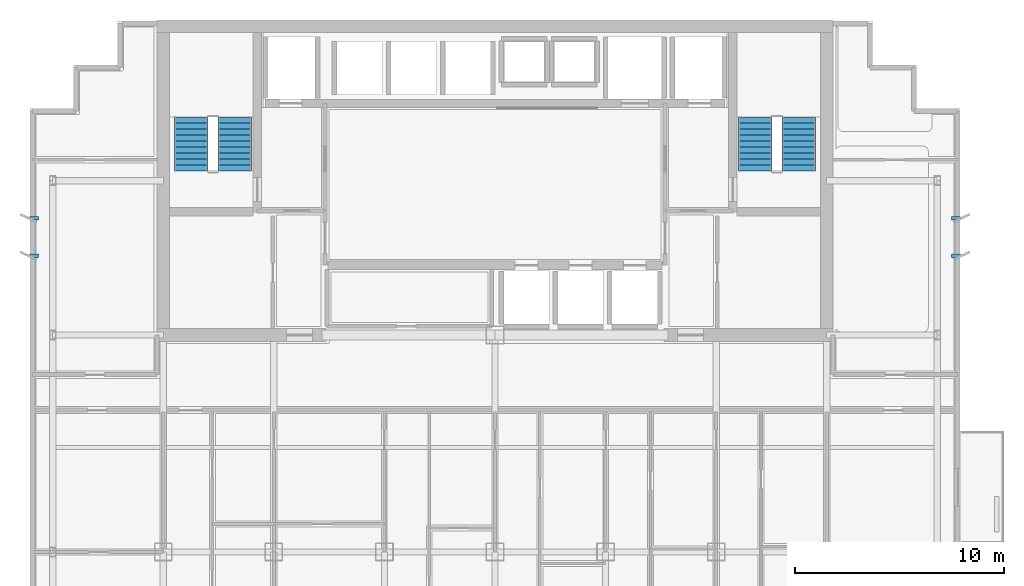
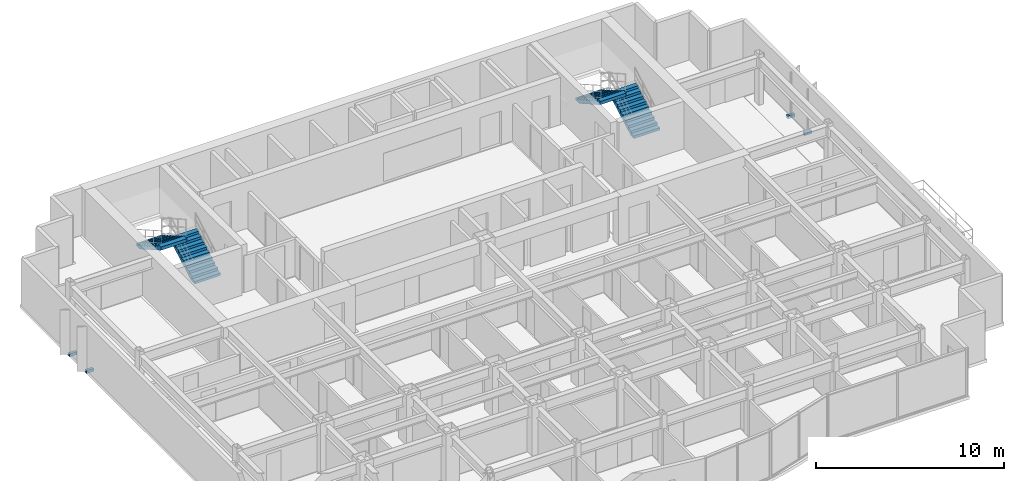
# One storey, part 9 of 11: 4 discrete accessories, 4 stair flights, 2 elements without a shape of their own.
"""IFC4 building model written with IfcOpenShell, lengths in metres."""

from ifc_helpers import new_model, si_unit, direction, frame, origin, origin_2d, place, context, subcontext, project, spatial, polyline, rectangle, outline, extrude, source, transform, mapped, material, type_object, element, aggregate, save


model = new_model("IFC4")

# Units and contexts
model_context = context("Model", 3, precision=1e-05, world=origin(), true_north=direction((0.0, 1.0)))
body_context = subcontext(model_context, "Body", "Model", "MODEL_VIEW")
ifc_project = project(units=[si_unit("LENGTHUNIT", "METRE"), si_unit("AREAUNIT", "SQUARE_METRE"), si_unit("VOLUMEUNIT", "CUBIC_METRE"), si_unit("PLANEANGLEUNIT", "RADIAN"), si_unit("MASSUNIT", "GRAM", prefix="KILO")], contexts=[model_context])

# Site, building, storey
site_placement = place(None, origin())
site = spatial("IfcSite", under=ifc_project, at=site_placement, CompositionType="ELEMENT")
building_placement = place(site_placement, origin())
building = spatial("IfcBuilding", under=site, at=building_placement, Name="Qianlan Lanfeng Residences", CompositionType="ELEMENT")
storey_placement = place(building_placement, frame((0.0, 0.0, 168.89990234375)))
storey = spatial("IfcBuildingStorey", under=building, at=storey_placement, Name="L46", CompositionType="ELEMENT", Elevation=168.89990234375)

# Stair, stair flights
ifc_material_1 = material(Name="Concrete C42", Category="concrete")
stair_type = type_object("IfcStairType", Name="STR-MAIN", PredefinedType="HALF_TURN_STAIR", material=ifc_material_1)
stair_1_placement = place(storey_placement, origin())
stair_1 = element("IfcStair", 1, at=stair_1_placement, inside=storey, type_object=stair_type, Name="L46 Exit Stair ST-1", PredefinedType="HALF_TURN_STAIR")
stair_flight_type = type_object("IfcStairFlightType", Name="FLT-1720", PredefinedType="STRAIGHT", material=ifc_material_1)
stair_flight_1_placement = place(storey_placement, frame((14.02001953125, 33.050048828125, 0.0), z_axis=(0.0, 0.0, 1.0), x_axis=(0.0, 1.0, 0.0)))
stair_flight_1 = element("IfcStairFlight", 2, at=stair_flight_1_placement, type_object=stair_flight_type, Name="ST-1 flight 1", NumberOfRisers=10, NumberOfTreads=9, PredefinedType="STRAIGHT", RiserHeight=0.165, TreadLength=0.29, context=body_context, shape_type="SweptSolid", body=[
    extrude(outline(polyline([(0.0, 0.0), (0.0, 0.1650390625), (0.2900390625, 0.1650390625), (0.2900390625, 0.330078125), (0.580078125, 0.330078125), (0.580078125, 0.4951171875), (0.8701171875, 0.4951171875), (0.8701171875, 0.659912109375), (1.159912109375, 0.659912109375), (1.159912109375, 0.824951171875), (1.449951171875, 0.824951171875), (1.449951171875, 0.989990234375), (1.739990234375, 0.989990234375), (1.739990234375, 1.155029296875), (2.030029296875, 1.155029296875), (2.030029296875, 1.320068359375), (2.320068359375, 1.320068359375), (2.320068359375, 1.485107421875), (2.610107421875, 1.485107421875), (2.610107421875, 1.64990234375), (2.610107421875, 1.278076171875), (0.36376953125, 0.0), (0.0, 0.0)])), frame((0.0, 0.800048828125, 0.0), z_axis=(0.0, -1.0, 0.0), x_axis=(1.0, 0.0, 0.0)), (0.0, 0.0, 1.0), 1.60009765625),
])
stair_flight_2_placement = place(storey_placement, frame((11.93994140625, 35.659912109375, 1.650146484375), z_axis=(0.0, 0.0, 1.0), x_axis=(0.0, -1.0, 0.0)))
stair_flight_2 = element("IfcStairFlight", 3, at=stair_flight_2_placement, type_object=stair_flight_type, Name="ST-1 flight 2", NumberOfRisers=10, NumberOfTreads=9, PredefinedType="STRAIGHT", RiserHeight=0.165, TreadLength=0.29, context=body_context, shape_type="SweptSolid", body=[
    extrude(outline(polyline([(0.0, 0.0), (0.0, 0.1650390625), (0.2900390625, 0.1650390625), (0.2900390625, 0.330078125), (0.580078125, 0.330078125), (0.580078125, 0.4951171875), (0.8701171875, 0.4951171875), (0.8701171875, 0.659912109375), (1.159912109375, 0.659912109375), (1.159912109375, 0.824951171875), (1.449951171875, 0.824951171875), (1.449951171875, 0.989990234375), (1.739990234375, 0.989990234375), (1.739990234375, 1.155029296875), (2.030029296875, 1.155029296875), (2.030029296875, 1.320068359375), (2.320068359375, 1.320068359375), (2.320068359375, 1.485107421875), (2.610107421875, 1.485107421875), (2.610107421875, 1.64990234375), (2.610107421875, 1.278076171875), (0.36376953125, 0.0), (0.0, 0.0)])), frame((0.0, 0.800048828125, 0.0), z_axis=(0.0, -1.0, 0.0), x_axis=(1.0, 0.0, 0.0)), (0.0, 0.0, 1.0), 1.60009765625),
])
aggregate(stair_1, [stair_flight_1, stair_flight_2])

stair_2_placement = place(storey_placement, origin())
stair_2 = element("IfcStair", 4, at=stair_2_placement, inside=storey, type_object=stair_type, Name="L46 Exit Stair ST-2", PredefinedType="HALF_TURN_STAIR")
stair_flight_3_placement = place(storey_placement, frame((41.06005859375, 33.050048828125, 0.0), z_axis=(0.0, 0.0, 1.0), x_axis=(0.0, 1.0, 0.0)))
stair_flight_3 = element("IfcStairFlight", 5, at=stair_flight_3_placement, type_object=stair_flight_type, Name="ST-2 flight 1", NumberOfRisers=10, NumberOfTreads=9, PredefinedType="STRAIGHT", RiserHeight=0.165, TreadLength=0.29, context=body_context, shape_type="SweptSolid", body=[
    extrude(outline(polyline([(0.0, 0.0), (0.0, 0.1650390625), (0.2900390625, 0.1650390625), (0.2900390625, 0.330078125), (0.580078125, 0.330078125), (0.580078125, 0.4951171875), (0.8701171875, 0.4951171875), (0.8701171875, 0.659912109375), (1.159912109375, 0.659912109375), (1.159912109375, 0.824951171875), (1.449951171875, 0.824951171875), (1.449951171875, 0.989990234375), (1.739990234375, 0.989990234375), (1.739990234375, 1.155029296875), (2.030029296875, 1.155029296875), (2.030029296875, 1.320068359375), (2.320068359375, 1.320068359375), (2.320068359375, 1.485107421875), (2.610107421875, 1.485107421875), (2.610107421875, 1.64990234375), (2.610107421875, 1.278076171875), (0.36376953125, 0.0), (0.0, 0.0)])), frame((0.0, 0.800048828125, 0.0), z_axis=(0.0, -1.0, 0.0), x_axis=(1.0, 0.0, 0.0)), (0.0, 0.0, 1.0), 1.60009765625),
])
stair_flight_4_placement = place(storey_placement, frame((38.97998046875, 35.659912109375, 1.650146484375), z_axis=(0.0, 0.0, 1.0), x_axis=(0.0, -1.0, 0.0)))
stair_flight_4 = element("IfcStairFlight", 6, at=stair_flight_4_placement, type_object=stair_flight_type, Name="ST-2 flight 2", NumberOfRisers=10, NumberOfTreads=9, PredefinedType="STRAIGHT", RiserHeight=0.165, TreadLength=0.29, context=body_context, shape_type="SweptSolid", body=[
    extrude(outline(polyline([(0.0, 0.0), (0.0, 0.1650390625), (0.2900390625, 0.1650390625), (0.2900390625, 0.330078125), (0.580078125, 0.330078125), (0.580078125, 0.4951171875), (0.8701171875, 0.4951171875), (0.8701171875, 0.659912109375), (1.159912109375, 0.659912109375), (1.159912109375, 0.824951171875), (1.449951171875, 0.824951171875), (1.449951171875, 0.989990234375), (1.739990234375, 0.989990234375), (1.739990234375, 1.155029296875), (2.030029296875, 1.155029296875), (2.030029296875, 1.320068359375), (2.320068359375, 1.320068359375), (2.320068359375, 1.485107421875), (2.610107421875, 1.485107421875), (2.610107421875, 1.64990234375), (2.610107421875, 1.278076171875), (0.36376953125, 0.0), (0.0, 0.0)])), frame((0.0, 0.800048828125, 0.0), z_axis=(0.0, -1.0, 0.0), x_axis=(1.0, 0.0, 0.0)), (0.0, 0.0, 1.0), 1.60009765625),
])
aggregate(stair_2, [stair_flight_3, stair_flight_4])

# Discrete accessories
ifc_material_2 = material(Name="Stainless Steel Facade Bracket", Category="steel")
discrete_accessory_type = type_object("IfcDiscreteAccessoryType", Name="BRK-SS-350", PredefinedType="BRACKET", material=ifc_material_2)
shared_shape = source(origin(), body_context, "Body", "SweptSolid", [
    extrude(rectangle(XDim=0.449951171875, YDim=0.179931640625, at=origin_2d()), origin(), (0.0, 0.0, 1.0), 0.179931640625),
])
for number, where, z_axis, x_axis, name in (
    (7, (4.39990234375, 29.0, -0.14990234375), (0.0, 0.0, 1.0), (1.0, 0.0, 0.0), "L46 Raked Solar Fin Support Bracket W1"),
    (8, (4.39990234375, 30.800048828125, -0.14990234375), (0.0, 0.0, 1.0), (1.0, 0.0, 0.0), "L46 Raked Solar Fin Support Bracket W2"),
    (9, (48.60009765625, 29.0, -0.14990234375), (0.0, 0.0, 1.0), (1.0, 0.0, 0.0), "L46 Raked Solar Fin Support Bracket E1"),
    (10, (48.60009765625, 30.800048828125, -0.14990234375), (0.0, 0.0, 1.0), (1.0, 0.0, 0.0), "L46 Raked Solar Fin Support Bracket E2"),
):
    element("IfcDiscreteAccessory", number, at=place(storey_placement, frame(where, z_axis=z_axis, x_axis=x_axis)), inside=storey, type_object=discrete_accessory_type, Name=name, PredefinedType="BRACKET", context=body_context, shape_type="MappedRepresentation", body=[
        mapped(shared_shape, transform((0.0, 0.0, 0.0), scale=1.0)),
    ])

save(model, "model.ifc")
